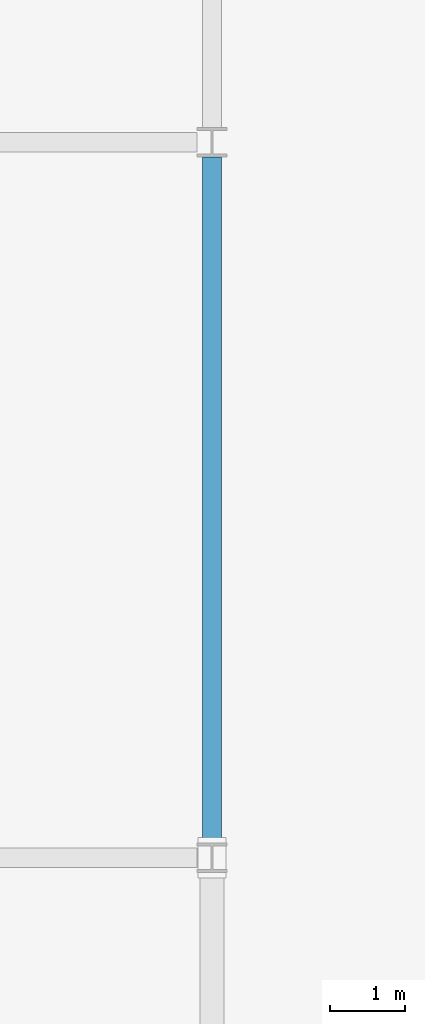
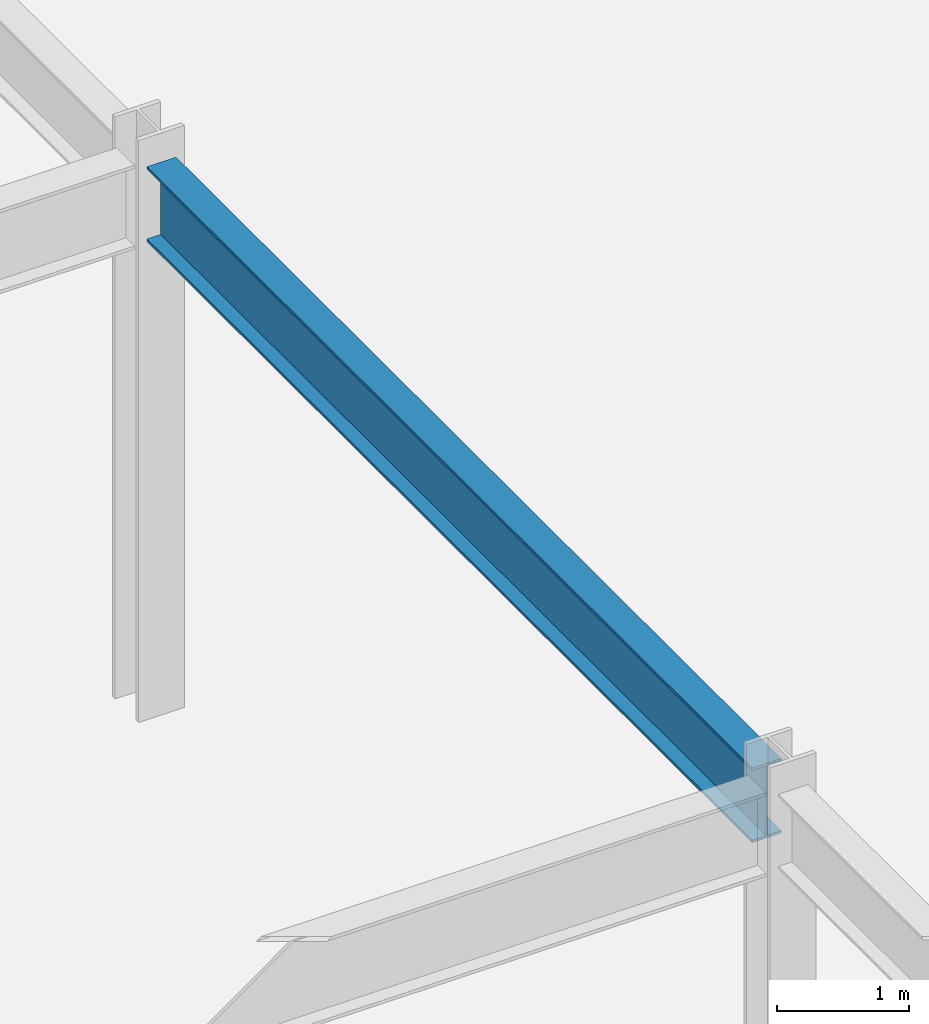
# One storey, part 14 of 72: 1 beam.
"""IFC4 building model written with IfcOpenShell, lengths in metres."""

from ifc_helpers import new_model, si_unit, direction, frame, origin, origin_2d, place, context, subcontext, project, spatial, i_section, extrude, material, material_profile, profile_set, type_object, element, save


model = new_model("IFC4")

# Units and contexts
model_context = context("Model", 3, precision=1e-05, world=origin(), true_north=direction((0.0, 1.0)))
body_context = subcontext(model_context, "Body", "Model", "MODEL_VIEW")
ifc_project = project(units=[si_unit("LENGTHUNIT", "METRE"), si_unit("AREAUNIT", "SQUARE_METRE"), si_unit("VOLUMEUNIT", "CUBIC_METRE"), si_unit("PLANEANGLEUNIT", "RADIAN"), si_unit("MASSUNIT", "GRAM", prefix="KILO")], contexts=[model_context])

# Site, building, storey
site_placement = place(None, origin())
site = spatial("IfcSite", under=ifc_project, at=site_placement, CompositionType="ELEMENT")
building_placement = place(site_placement, origin())
building = spatial("IfcBuilding", under=site, at=building_placement, Name="Veldera Park Congress Hotel", CompositionType="ELEMENT")
storey_placement = place(building_placement, frame((0.0, 0.0, 5.39990234375)))
storey = spatial("IfcBuildingStorey", under=building, at=storey_placement, Name="L01", CompositionType="ELEMENT", Elevation=5.39990234375)

# Beam
ifc_material = material(Name="Steel ASTM A992 Gr.50", Category="steel")
ifc_material_profile = material_profile(ifc_material, i_section(OverallWidth=0.256103515625, OverallDepth=0.693115234375, WebThickness=0.014404296875, FlangeThickness=0.023681640625, at=origin_2d()), Name="W27X114")
ifc_profile_set = profile_set([ifc_material_profile], Name="Steel ASTM A992 Gr.50")
beam_type = type_object("IfcBeamType", Name="BM-W27", PredefinedType="BEAM", material=ifc_profile_set)
beam_placement = place(storey_placement, frame((-67.39990234375, -1.6005859375, 4.78369140625), z_axis=(0.0, 1.0, 0.0), x_axis=(-1.0, 0.0, 0.0)))
element("IfcBeam", 1, at=beam_placement, inside=storey, type_object=beam_type, Name="L01 Girder BM-W27 679", PredefinedType="BEAM", context=body_context, shape_type="SweptSolid", body=[
    extrude(i_section(OverallWidth=0.256103515625, OverallDepth=0.693115234375, WebThickness=0.014404296875, FlangeThickness=0.023681640625, at=origin_2d()), origin(), (0.0, 0.0, 1.0), 9.201171875),
])

save(model, "model.ifc")
